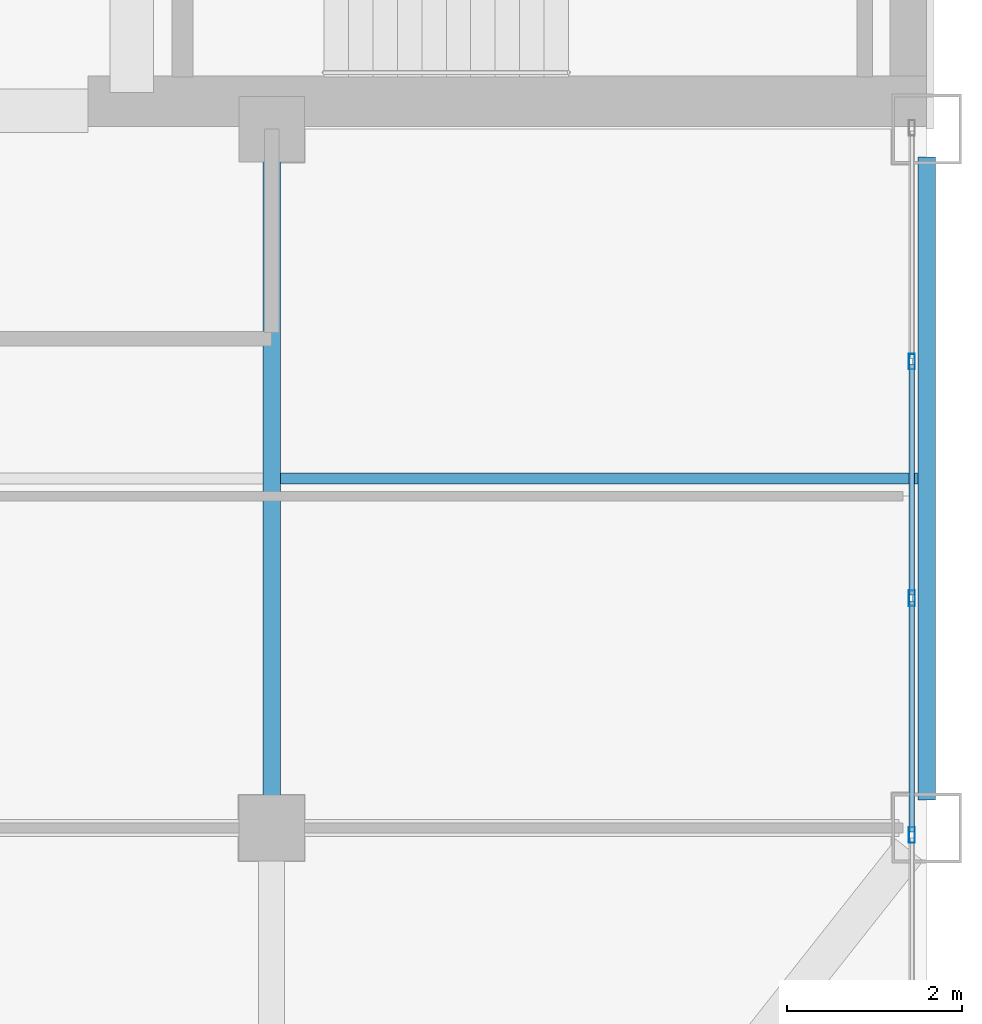
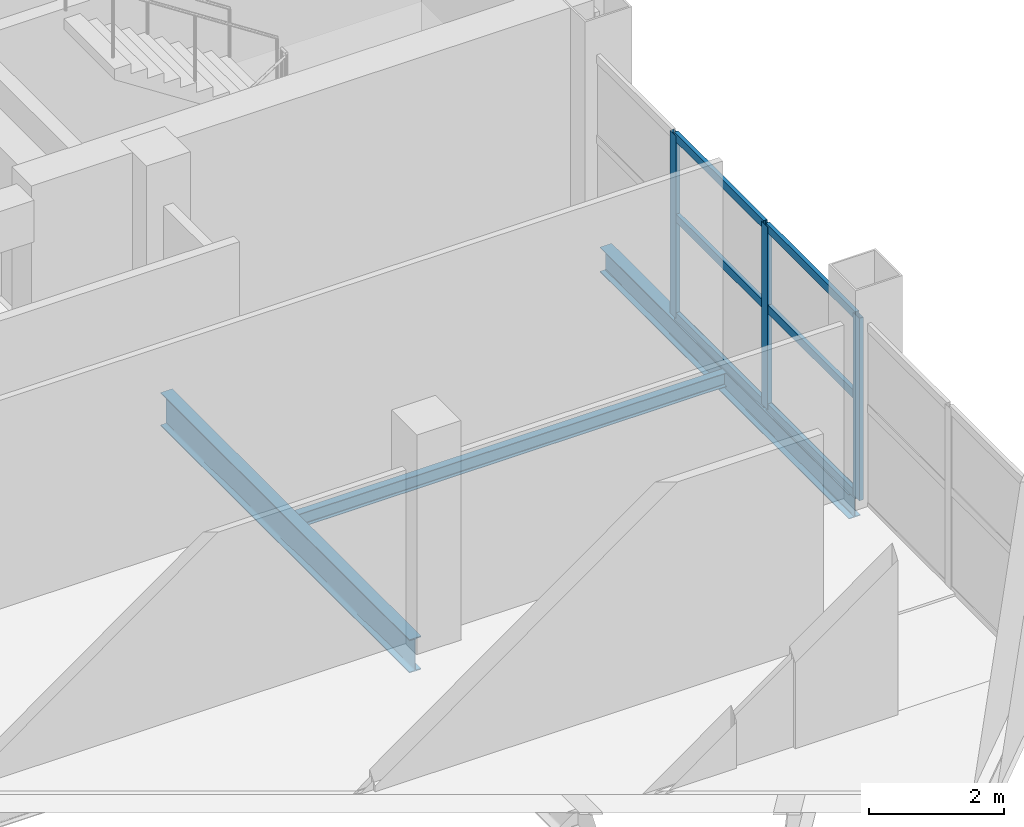
# One storey, part 4 of 13: 9 members, 3 beams, 1 element without a shape of its own.
"""IFC4 building model written with IfcOpenShell, lengths in metres."""

import ifcopenshell
import ifcopenshell.guid

model = None  # the IFC model being written
_history = None  # IfcOwnerHistory: only IFC2X3 demands one
_inside = {}  # id of a spatial element -> (the spatial element, [elements in it])
_under = {}  # id of a project, library or spatial element -> (it, [spatial elements below it])
_declared = {}  # id of a project -> (the project, [libraries it declares])
_typed = {}  # id of a type object -> (the type object, [elements of that type])
_made_of = {}  # id of a material, layer set ... -> (it, [elements and type objects made of it])


def new_model(schema):
    """Start an empty IFC model of exactly this schema.

    Asked for "IFC4X3", IfcOpenShell would pick the latest addendum, in which some entities
    have other attributes; the version numbers below select the first issue.
    IFC2X3 requires an IfcOwnerHistory on every rooted entity: one is made here for all.
    """
    global model, _history
    if schema == "IFC4X3":
        model = ifcopenshell.file(schema_version=(4, 3, 0, 0))
    else:
        model = ifcopenshell.file(schema=schema)
    _inside.clear()
    _under.clear()
    _declared.clear()
    _typed.clear()
    _made_of.clear()
    _history = None
    if model.schema == "IFC2X3":
        org = make("IfcOrganization", Name="unknown")
        user = make(
            "IfcPersonAndOrganization",
            ThePerson=make("IfcPerson", FamilyName="unknown"),
            TheOrganization=org,
        )
        app = make(
            "IfcApplication",
            ApplicationDeveloper=org,
            Version="unknown",
            ApplicationFullName="unknown",
            ApplicationIdentifier="unknown",
        )
        _history = make(
            "IfcOwnerHistory",
            OwningUser=user,
            OwningApplication=app,
            ChangeAction="ADDED",
            CreationDate=0,
        )
    return model


def make(cls, **values):
    """One entity of the class cls with the attributes given. An attribute that is None is left unset."""
    return model.create_entity(
        cls, **{name: value for name, value in values.items() if value is not None}
    )


def rooted(cls, **values):
    """An entity with a GlobalId (a new one), such as an element, a storey or a relation."""
    return make(cls, GlobalId=ifcopenshell.guid.new(), OwnerHistory=_history, **values)


def si_unit(unit_type, name, prefix=None):
    """IfcSIUnit, for example si_unit("LENGTHUNIT", "METRE", prefix="MILLI")."""
    return make("IfcSIUnit", UnitType=unit_type, Prefix=prefix, Name=name)


def assignment(units):
    """IfcUnitAssignment: the units of a project."""
    return None if units is None else make("IfcUnitAssignment", Units=units)


def point(xyz):
    """IfcCartesianPoint."""
    return None if xyz is None else make("IfcCartesianPoint", Coordinates=xyz)


def direction(xyz):
    """IfcDirection."""
    return None if xyz is None else make("IfcDirection", DirectionRatios=xyz)


def frame(location, z_axis=None, x_axis=None):
    """IfcAxis2Placement3D, a coordinate frame: its origin and axes. An axis left out is left unset."""
    return make(
        "IfcAxis2Placement3D",
        Location=point(location),
        Axis=direction(z_axis),
        RefDirection=direction(x_axis),
    )


def frame_2d(location, x_axis=None):
    """IfcAxis2Placement2D, a coordinate frame in the plane: its origin and x axis."""
    return make(
        "IfcAxis2Placement2D", Location=point(location), RefDirection=direction(x_axis)
    )


def origin():
    """The frame at (0, 0, 0) with its axes left unset."""
    return frame((0.0, 0.0, 0.0))


def origin_2d():
    """The frame at (0, 0) in the plane with its x axis left unset."""
    return frame_2d((0.0, 0.0))


def place(relative_to, where):
    """IfcLocalPlacement: puts the frame where relative to a parent placement (None: the world)."""
    return make(
        "IfcLocalPlacement", PlacementRelTo=relative_to, RelativePlacement=where
    )


def context(
    kind, dimensions, precision=None, world=None, true_north=None, identifier=None
):
    """IfcGeometricRepresentationContext, for example the 3D "Model" context."""
    return make(
        "IfcGeometricRepresentationContext",
        ContextIdentifier=identifier,
        ContextType=kind,
        CoordinateSpaceDimension=dimensions,
        Precision=precision,
        WorldCoordinateSystem=world,
        TrueNorth=true_north,
    )


def subcontext(parent, identifier, kind, view, scale=None):
    """IfcGeometricRepresentationSubContext, for example "Body" below "Model"."""
    return make(
        "IfcGeometricRepresentationSubContext",
        ContextIdentifier=identifier,
        ContextType=kind,
        ParentContext=parent,
        TargetScale=scale,
        TargetView=view,
    )


def project(units=None, contexts=None):
    """IfcProject with its units and contexts."""
    return rooted(
        "IfcProject",
        Name="project",
        RepresentationContexts=contexts,
        UnitsInContext=assignment(units),
    )


def spatial(cls, under=None, at=None, **own):
    """A site, building, storey or space (cls), placed at a placement, below another one or the project."""
    s = rooted(cls, ObjectPlacement=at, **own)
    if under is not None:
        _under.setdefault(under.id(), (under, []))[1].append(s)
    return s


def profile(cls, at=None, kind="AREA", **sizes):
    """A parametric profile (cls). Its sizes go by their IFC names, for example OverallWidth=200.0."""
    return make(cls, ProfileType=kind, Position=at, **sizes)


def hollow_rectangle(**sizes):
    """IfcRectangleHollowProfileDef."""
    return profile("IfcRectangleHollowProfileDef", **sizes)


def i_section(**sizes):
    """IfcIShapeProfileDef."""
    return profile("IfcIShapeProfileDef", **sizes)


def extrude(swept, where, along, depth):
    """IfcExtrudedAreaSolid: the profile swept, set in the frame where, extruded along a direction by depth."""
    return make(
        "IfcExtrudedAreaSolid",
        SweptArea=swept,
        Position=where,
        ExtrudedDirection=direction(along),
        Depth=depth,
    )


def shape(context_of_items, identifier, shape_type, items):
    """IfcShapeRepresentation: the items that make up one representation, for example the "Body"."""
    return make(
        "IfcShapeRepresentation",
        ContextOfItems=context_of_items,
        RepresentationIdentifier=identifier,
        RepresentationType=shape_type,
        Items=items,
    )


def material(Name=None, Category=None):
    """IfcMaterial."""
    return make("IfcMaterial", Name=Name, Category=Category)


def layer(
    of_material, thickness, ventilated=None, Name=None, Category=None, Priority=None
):
    """IfcMaterialLayer: one layer of a wall or slab, of a material (None: an air gap)."""
    return make(
        "IfcMaterialLayer",
        Material=of_material,
        LayerThickness=thickness,
        IsVentilated=ventilated,
        Name=Name,
        Category=Category,
        Priority=Priority,
    )


def layer_set(layers, Name=None):
    """IfcMaterialLayerSet."""
    return make("IfcMaterialLayerSet", MaterialLayers=layers, LayerSetName=Name)


def material_profile(
    of_material, cross_section, Name=None, Category=None, Priority=None
):
    """IfcMaterialProfile: a cross section and its material."""
    return make(
        "IfcMaterialProfile",
        Name=Name,
        Material=of_material,
        Profile=cross_section,
        Priority=Priority,
        Category=Category,
    )


def profile_set(profiles, Name=None, composite=None):
    """IfcMaterialProfileSet."""
    return make(
        "IfcMaterialProfileSet",
        Name=Name,
        MaterialProfiles=profiles,
        CompositeProfile=composite,
    )


def made_of(thing, what):
    """Note that an element or type object is made of a material, layer set ...; save() writes the relation."""
    if what is not None:
        _made_of.setdefault(what.id(), (what, []))[1].append(thing)
    return thing


def type_object(cls, material=None, **own):
    """A type object (cls), such as IfcWallType, which elements share."""
    return made_of(rooted(cls, **own), material)


def element(
    cls,
    number,
    at=None,
    inside=None,
    cuts=None,
    type_object=None,
    material=None,
    context=None,
    identifier="Body",
    shape_type=None,
    held_by="IfcProductDefinitionShape",
    body=None,
    shapes=None,
    **own,
):
    """One element of the class cls, such as IfcWall. Its Tag is "e" and its number.

    at: its placement. inside: the storey or other place that contains it. cuts: it is an
    opening in that element (IfcRelVoidsElement). A single representation is given by context,
    identifier, shape_type and body (its items); several are given by shapes. held_by: the class
    of the entity that holds the representations. save() writes the other relations.
    """
    e = rooted(cls, Tag="e%d" % number, ObjectPlacement=at, **own)
    if body is not None:
        shapes = [shape(context, identifier, shape_type, body)]
    if shapes is not None:
        e.Representation = make(held_by, Representations=shapes)
    if inside is not None:
        _inside.setdefault(inside.id(), (inside, []))[1].append(e)
    if cuts is not None:
        rooted(
            "IfcRelVoidsElement", RelatingBuildingElement=cuts, RelatedOpeningElement=e
        )
    if type_object is not None:
        _typed.setdefault(type_object.id(), (type_object, []))[1].append(e)
    return made_of(e, material)


def aggregate(whole, parts):
    """IfcRelAggregates: a whole, such as a stair, and the parts it consists of."""
    return rooted("IfcRelAggregates", RelatingObject=whole, RelatedObjects=parts)


def save(model, path):
    """Write the relations noted so far, then the file.

    IfcRelAggregates (storeys below a building ...), IfcRelContainedInSpatialStructure (elements
    in a storey), IfcRelDefinesByType, IfcRelAssociatesMaterial and IfcRelDeclares: one each for
    every whole, place, type object, material and project.
    """
    for whole, parts in _under.values():
        aggregate(whole, parts)
    for where, things in _inside.values():
        rooted(
            "IfcRelContainedInSpatialStructure",
            RelatedElements=things,
            RelatingStructure=where,
        )
    for kind, things in _typed.values():
        rooted("IfcRelDefinesByType", RelatedObjects=things, RelatingType=kind)
    for what, things in _made_of.values():
        rooted("IfcRelAssociatesMaterial", RelatedObjects=things, RelatingMaterial=what)
    for by, libraries in _declared.values():
        rooted("IfcRelDeclares", RelatingContext=by, RelatedDefinitions=libraries)
    model.write(path)


model = new_model("IFC4")

# Units and contexts
model_context = context("Model", 3, precision=1e-05, world=origin(), true_north=direction((0.0, 1.0)))
body_context = subcontext(model_context, "Body", "Model", "MODEL_VIEW")
ifc_project = project(units=[si_unit("LENGTHUNIT", "METRE"), si_unit("AREAUNIT", "SQUARE_METRE"), si_unit("VOLUMEUNIT", "CUBIC_METRE"), si_unit("PLANEANGLEUNIT", "RADIAN"), si_unit("MASSUNIT", "GRAM", prefix="KILO")], contexts=[model_context])

# Site, building, storey
site_placement = place(None, origin())
site = spatial("IfcSite", under=ifc_project, at=site_placement, CompositionType="ELEMENT")
building_placement = place(site_placement, origin())
building = spatial("IfcBuilding", under=site, at=building_placement, Name="Qianrong Seaharbour Tower", CompositionType="ELEMENT")
storey_placement = place(building_placement, frame((0.0, 0.0, 295.199951171875)))
storey = spatial("IfcBuildingStorey", under=building, at=storey_placement, Name="L71", CompositionType="ELEMENT", Elevation=295.199951171875)

# Beams
ifc_material_1 = material(Name="Structural steel SN490B", Category="steel")
ifc_material_profile_1 = material_profile(ifc_material_1, i_section(OverallWidth=0.199951171875, OverallDepth=0.60009765625, WebThickness=0.010986328125, FlangeThickness=0.01708984375, FilletRadius=0.02197265625, at=origin_2d()), Name="H600x200x11x17")
ifc_profile_set_1 = profile_set([ifc_material_profile_1], Name="Structural steel SN490B")
beam_type_1 = type_object("IfcBeamType", Name="BM-G-600", PredefinedType="BEAM", material=ifc_profile_set_1)
beam_1_placement = place(storey_placement, frame((56.5, 28.320068359375, -0.514892578125), z_axis=(0.0, 1.0, 0.0), x_axis=(-1.0, 0.0, 0.0)))
element("IfcBeam", 1, at=beam_1_placement, inside=storey, type_object=beam_type_1, Name="L71 Primary Girder G8 GE-GF", PredefinedType="BEAM", context=body_context, shape_type="SweptSolid", body=[
    extrude(i_section(OverallWidth=0.199951171875, OverallDepth=0.60009765625, WebThickness=0.010986328125, FlangeThickness=0.01708984375, FilletRadius=0.02197265625, at=origin_2d()), origin(), (0.0, 0.0, 1.0), 7.35986328125),
])
ifc_material_2 = material(Name="Structural steel SN400B", Category="steel")
ifc_material_profile_2 = material_profile(ifc_material_2, i_section(OverallWidth=0.125, OverallDepth=0.25, WebThickness=0.006103515625, FlangeThickness=0.009033203125, FilletRadius=0.011962890625, at=origin_2d()), Name="H250x125x6x9")
ifc_profile_set_2 = profile_set([ifc_material_profile_2], Name="Structural steel SN400B")
beam_type_2 = type_object("IfcBeamType", Name="BM-J-250", PredefinedType="JOIST", material=ifc_profile_set_2)
beam_2_placement = place(storey_placement, frame((56.60009765625, 32.0, -0.33984375), z_axis=(1.0, 0.0, 0.0), x_axis=(0.0, 1.0, 0.0)))
element("IfcBeam", 2, at=beam_2_placement, inside=storey, type_object=beam_type_2, Name="L71 Composite Floor Joist G8-G9/GE-GF", PredefinedType="JOIST", context=body_context, shape_type="SweptSolid", body=[
    extrude(i_section(OverallWidth=0.125, OverallDepth=0.25, WebThickness=0.006103515625, FlangeThickness=0.009033203125, FilletRadius=0.011962890625, at=origin_2d()), origin(), (0.0, 0.0, 1.0), 7.2998046875),
])
ifc_material_profile_3 = material_profile(ifc_material_2, i_section(OverallWidth=0.199951171875, OverallDepth=0.449951171875, WebThickness=0.009033203125, FlangeThickness=0.013916015625, FilletRadius=0.01806640625, at=origin_2d()), Name="H450x200x9x14")
ifc_profile_set_3 = profile_set([ifc_material_profile_3], Name="Structural steel SN400B")
beam_type_3 = type_object("IfcBeamType", Name="BM-SP-450", PredefinedType="SPANDREL", material=ifc_profile_set_3)
beam_3_placement = place(storey_placement, frame((64.0, 28.320068359375, -0.43994140625), z_axis=(0.0, 1.0, 0.0), x_axis=(-1.0, 0.0, 0.0)))
element("IfcBeam", 3, at=beam_3_placement, inside=storey, type_object=beam_type_3, Name="L71 Spandrel Girder G9 GE-GF", PredefinedType="SPANDREL", context=body_context, shape_type="SweptSolid", body=[
    extrude(i_section(OverallWidth=0.199951171875, OverallDepth=0.449951171875, WebThickness=0.009033203125, FlangeThickness=0.013916015625, FilletRadius=0.01806640625, at=origin_2d()), origin(), (0.0, 0.0, 1.0), 7.35986328125),
])

# Curtain wall, members
ifc_material_3 = material(Name="Anodised aluminium 6063-T6 and laminated low-e glass", Category="aluminium")
ifc_layer = layer(ifc_material_3, 0.195068359375)
ifc_layer_set = layer_set([ifc_layer], Name="Anodised aluminium 6063-T6 and laminated low-e glass")
curtain_wall_type = type_object("IfcCurtainWallType", Name="CW-SYS-3", PredefinedType="NOTDEFINED", material=ifc_layer_set)
curtain_wall_placement = place(storey_placement, origin())
curtain_wall = element("IfcCurtainWall", 4, at=curtain_wall_placement, inside=storey, type_object=curtain_wall_type, Name="L71 Sky-Garden Wintergarden Curtain Wall EAST_WING", PredefinedType="NOTDEFINED")
ifc_material_4 = material(Name="Extruded aluminium 6063-T6", Category="aluminium")
ifc_material_profile_4 = material_profile(ifc_material_4, hollow_rectangle(XDim=0.070068359375, YDim=0.179931640625, WallThickness=0.00390625, at=origin_2d()), Name="ALU-MUL-180x70x4")
ifc_profile_set_4 = profile_set([ifc_material_profile_4], Name="Extruded aluminium 6063-T6")
member_type_1 = type_object("IfcMemberType", Name="CW-MUL-180", PredefinedType="MULLION", material=ifc_profile_set_4)
member_1_placement = place(storey_placement, frame((63.830078125, 33.340087890625, 0.0), z_axis=(0.0, 0.0, 1.0), x_axis=(1.0, 0.0, 0.0)))
member_1 = element("IfcMember", 5, at=member_1_placement, type_object=member_type_1, Name="CW-3 mullion 2", PredefinedType="MULLION", context=body_context, shape_type="SweptSolid", body=[
    extrude(hollow_rectangle(XDim=0.070068359375, YDim=0.179931640625, WallThickness=0.00390625, at=origin_2d()), origin(), (0.0, 0.0, 1.0), 3.295166015625),
])
member_2_placement = place(storey_placement, frame((63.830078125, 30.6298828125, 0.0), z_axis=(0.0, 0.0, 1.0), x_axis=(1.0, 0.0, 0.0)))
member_2 = element("IfcMember", 6, at=member_2_placement, type_object=member_type_1, Name="CW-3 mullion 3", PredefinedType="MULLION", context=body_context, shape_type="SweptSolid", body=[
    extrude(hollow_rectangle(XDim=0.070068359375, YDim=0.179931640625, WallThickness=0.00390625, at=origin_2d()), origin(), (0.0, 0.0, 1.0), 3.295166015625),
])
member_3_placement = place(storey_placement, frame((63.830078125, 27.919921875, 0.0), z_axis=(0.0, 0.0, 1.0), x_axis=(1.0, 0.0, 0.0)))
member_3 = element("IfcMember", 7, at=member_3_placement, type_object=member_type_1, Name="CW-3 mullion 4", PredefinedType="MULLION", context=body_context, shape_type="SweptSolid", body=[
    extrude(hollow_rectangle(XDim=0.070068359375, YDim=0.179931640625, WallThickness=0.00390625, at=origin_2d()), origin(), (0.0, 0.0, 1.0), 3.295166015625),
])
ifc_material_profile_5 = material_profile(ifc_material_4, hollow_rectangle(XDim=0.06494140625, YDim=0.14990234375, WallThickness=0.00390625, at=origin_2d()), Name="ALU-TRN-150x65x4")
ifc_profile_set_5 = profile_set([ifc_material_profile_5], Name="Extruded aluminium 6063-T6")
member_type_2 = type_object("IfcMemberType", Name="CW-TRN-150", PredefinedType="USERDEFINED", material=ifc_profile_set_5)
member_4_placement = place(storey_placement, frame((63.830078125, 33.304931640625, 0.032470703125), z_axis=(0.0, -1.0, 0.0), x_axis=(1.0, 0.0, 0.0)))
member_4 = element("IfcMember", 8, at=member_4_placement, type_object=member_type_2, Name="CW-3 transom 2.1", ObjectType="TRANSOM", PredefinedType="USERDEFINED", context=body_context, shape_type="SweptSolid", body=[
    extrude(hollow_rectangle(XDim=0.06494140625, YDim=0.14990234375, WallThickness=0.00390625, at=origin_2d()), origin(), (0.0, 0.0, 1.0), 2.639892578125),
])
member_5_placement = place(storey_placement, frame((63.830078125, 33.304931640625, 1.812255859375), z_axis=(0.0, -1.0, 0.0), x_axis=(1.0, 0.0, 0.0)))
member_5 = element("IfcMember", 9, at=member_5_placement, type_object=member_type_2, Name="CW-3 transom 2.2", ObjectType="TRANSOM", PredefinedType="USERDEFINED", context=body_context, shape_type="SweptSolid", body=[
    extrude(hollow_rectangle(XDim=0.06494140625, YDim=0.14990234375, WallThickness=0.00390625, at=origin_2d()), origin(), (0.0, 0.0, 1.0), 2.639892578125),
])
member_6_placement = place(storey_placement, frame((63.830078125, 33.304931640625, 3.262451171875), z_axis=(0.0, -1.0, 0.0), x_axis=(1.0, 0.0, 0.0)))
member_6 = element("IfcMember", 10, at=member_6_placement, type_object=member_type_2, Name="CW-3 transom 2.3", ObjectType="TRANSOM", PredefinedType="USERDEFINED", context=body_context, shape_type="SweptSolid", body=[
    extrude(hollow_rectangle(XDim=0.06494140625, YDim=0.14990234375, WallThickness=0.00390625, at=origin_2d()), origin(), (0.0, 0.0, 1.0), 2.639892578125),
])
member_7_placement = place(storey_placement, frame((63.830078125, 30.594970703125, 0.032470703125), z_axis=(0.0, -1.0, 0.0), x_axis=(1.0, 0.0, 0.0)))
member_7 = element("IfcMember", 11, at=member_7_placement, type_object=member_type_2, Name="CW-3 transom 3.1", ObjectType="TRANSOM", PredefinedType="USERDEFINED", context=body_context, shape_type="SweptSolid", body=[
    extrude(hollow_rectangle(XDim=0.06494140625, YDim=0.14990234375, WallThickness=0.00390625, at=origin_2d()), origin(), (0.0, 0.0, 1.0), 2.639892578125),
])
member_8_placement = place(storey_placement, frame((63.830078125, 30.594970703125, 1.812255859375), z_axis=(0.0, -1.0, 0.0), x_axis=(1.0, 0.0, 0.0)))
member_8 = element("IfcMember", 12, at=member_8_placement, type_object=member_type_2, Name="CW-3 transom 3.2", ObjectType="TRANSOM", PredefinedType="USERDEFINED", context=body_context, shape_type="SweptSolid", body=[
    extrude(hollow_rectangle(XDim=0.06494140625, YDim=0.14990234375, WallThickness=0.00390625, at=origin_2d()), origin(), (0.0, 0.0, 1.0), 2.639892578125),
])
member_9_placement = place(storey_placement, frame((63.830078125, 30.594970703125, 3.262451171875), z_axis=(0.0, -1.0, 0.0), x_axis=(1.0, 0.0, 0.0)))
member_9 = element("IfcMember", 13, at=member_9_placement, type_object=member_type_2, Name="CW-3 transom 3.3", ObjectType="TRANSOM", PredefinedType="USERDEFINED", context=body_context, shape_type="SweptSolid", body=[
    extrude(hollow_rectangle(XDim=0.06494140625, YDim=0.14990234375, WallThickness=0.00390625, at=origin_2d()), origin(), (0.0, 0.0, 1.0), 2.639892578125),
])
aggregate(curtain_wall, [member_1, member_2, member_3, member_4, member_5, member_6, member_7, member_8, member_9])

save(model, "model.ifc")
